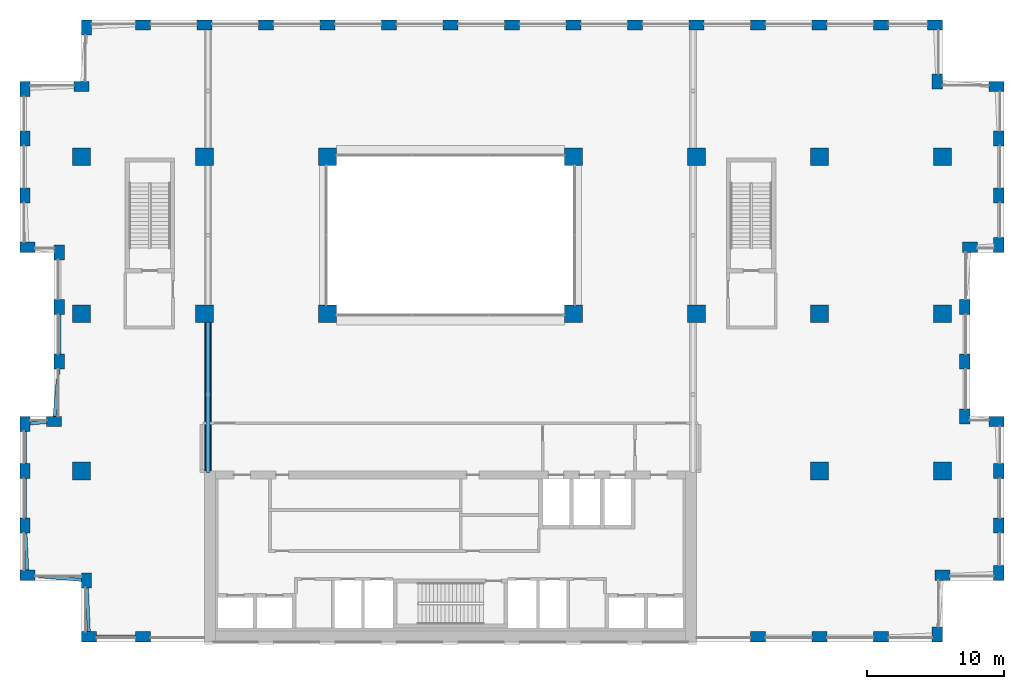
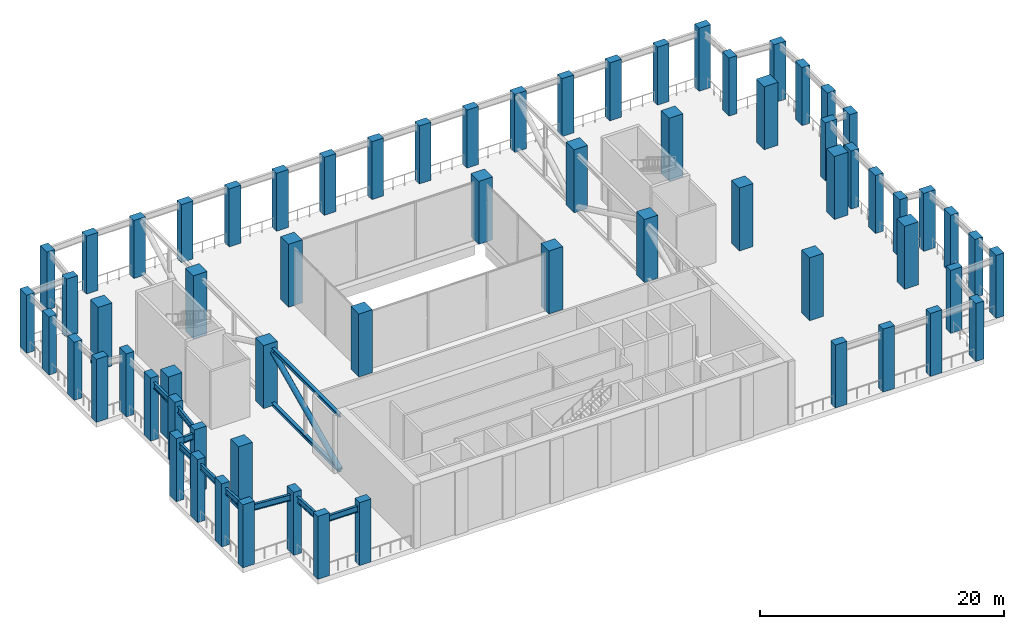
# One storey, part 1 of 14: 66 columns, 9 beams, 3 members.
"""IFC4 building model written with IfcOpenShell, lengths in metres."""

from ifc_helpers import new_model, si_unit, direction, frame, origin, origin_2d, place, context, subcontext, project, spatial, rectangle, hollow_circle, i_section, extrude, material, material_profile, profile_set, type_object, element, save


model = new_model("IFC4")

# Units and contexts
model_context = context("Model", 3, precision=1e-05, world=origin(), true_north=direction((0.0, 1.0)))
body_context = subcontext(model_context, "Body", "Model", "MODEL_VIEW")
ifc_project = project(units=[si_unit("LENGTHUNIT", "METRE"), si_unit("AREAUNIT", "SQUARE_METRE"), si_unit("VOLUMEUNIT", "CUBIC_METRE"), si_unit("PLANEANGLEUNIT", "RADIAN"), si_unit("MASSUNIT", "GRAM", prefix="KILO")], contexts=[model_context])

# Site, building, storey
site_placement = place(None, origin())
site = spatial("IfcSite", under=ifc_project, at=site_placement, CompositionType="ELEMENT")
building_placement = place(site_placement, origin())
building = spatial("IfcBuilding", under=site, at=building_placement, Name="Brigalow Station Residences", CompositionType="ELEMENT")
storey_placement = place(building_placement, frame((0.0, 0.0, 130.800048828125)))
storey = spatial("IfcBuildingStorey", under=building, at=storey_placement, Name="L38", CompositionType="ELEMENT", Elevation=130.800048828125)

# Columns
ifc_material_1 = material(Name="Concrete C65", Category="concrete")
ifc_material_profile_1 = material_profile(ifc_material_1, rectangle(XDim=1.300048828125, YDim=1.300048828125, at=origin_2d()), Name="RC1300x1300")
ifc_profile_set_1 = profile_set([ifc_material_profile_1], Name="Concrete C65")
column_type_1 = type_object("IfcColumnType", Name="COLUMN 1300x1300 C65", PredefinedType="COLUMN", material=ifc_profile_set_1)
for number, where, z_axis, x_axis, name in (
    (1, (9.0, 24.0, 0.0), (0.0, 0.0, 1.0), (1.0, 0.0, 0.0), "COLUMN C1 L38"),
    (2, (18.0, 24.0, 0.0), (0.0, 0.0, 1.0), (1.0, 0.0, 0.0), "COLUMN C2 L38"),
    (3, (27.0, 24.0, 0.0), (0.0, 0.0, 1.0), (1.0, 0.0, 0.0), "COLUMN C3 L38"),
    (4, (45.0, 24.0, 0.0), (0.0, 0.0, 1.0), (1.0, 0.0, 0.0), "COLUMN C5 L38"),
    (5, (54.0, 24.0, 0.0), (0.0, 0.0, 1.0), (1.0, 0.0, 0.0), "COLUMN C6 L38"),
    (6, (63.0, 24.0, 0.0), (0.0, 0.0, 1.0), (1.0, 0.0, 0.0), "COLUMN C7 L38"),
    (7, (72.0, 24.0, 0.0), (0.0, 0.0, 1.0), (1.0, 0.0, 0.0), "COLUMN C8 L38"),
    (8, (9.0, 35.5, 0.0), (0.0, 0.0, 1.0), (1.0, 0.0, 0.0), "COLUMN D1 L38"),
    (9, (18.0, 35.5, 0.0), (0.0, 0.0, 1.0), (1.0, 0.0, 0.0), "COLUMN D2 L38"),
    (10, (27.0, 35.5, 0.0), (0.0, 0.0, 1.0), (1.0, 0.0, 0.0), "COLUMN D3 L38"),
    (11, (45.0, 35.5, 0.0), (0.0, 0.0, 1.0), (1.0, 0.0, 0.0), "COLUMN D5 L38"),
    (12, (54.0, 35.5, 0.0), (0.0, 0.0, 1.0), (1.0, 0.0, 0.0), "COLUMN D6 L38"),
    (13, (63.0, 35.5, 0.0), (0.0, 0.0, 1.0), (1.0, 0.0, 0.0), "COLUMN D7 L38"),
    (14, (72.0, 35.5, 0.0), (0.0, 0.0, 1.0), (1.0, 0.0, 0.0), "COLUMN D8 L38"),
    (15, (9.0, 12.5, 0.0), (0.0, 0.0, 1.0), (1.0, 0.0, 0.0), "COLUMN B1 L38"),
    (16, (63.0, 12.5, 0.0), (0.0, 0.0, 1.0), (1.0, 0.0, 0.0), "COLUMN B7 L38"),
    (17, (72.0, 12.5, 0.0), (0.0, 0.0, 1.0), (1.0, 0.0, 0.0), "COLUMN B8 L38"),
):
    element("IfcColumn", number, at=place(storey_placement, frame(where, z_axis=z_axis, x_axis=x_axis)), inside=storey, type_object=column_type_1, Name=name, PredefinedType="COLUMN", context=body_context, shape_type="SweptSolid", body=[
        extrude(rectangle(XDim=1.300048828125, YDim=1.300048828125, at=origin_2d()), origin(), (0.0, 0.0, 1.0), 6.300048828125),
    ])
ifc_material_2 = material(Name="Concrete C65", Category="concrete")
ifc_material_profile_2 = material_profile(ifc_material_2, rectangle(XDim=1.10009765625, YDim=0.75, at=origin_2d()), Name="RC1100x750")
ifc_profile_set_2 = profile_set([ifc_material_profile_2], Name="Concrete C65")
column_type_2 = type_object("IfcColumnType", Name="PIER 1100x750 C65", PredefinedType="USERDEFINED", material=ifc_profile_set_2)
for number, where, z_axis, x_axis, name in (
    (18, (9.550048828125, 0.375, 0.0), (0.0, 0.0, 1.0), (1.0, 0.0, 0.0), "PIER S-1 L38"),
    (19, (13.5, 0.375, 0.0), (0.0, 0.0, 1.0), (1.0, 0.0, 0.0), "PIER S-2 L38"),
    (20, (58.5, 0.375, 0.0), (0.0, 0.0, 1.0), (1.0, 0.0, 0.0), "PIER S-12 L38"),
    (21, (63.0, 0.375, 0.0), (0.0, 0.0, 1.0), (1.0, 0.0, 0.0), "PIER S-13 L38"),
    (22, (67.5, 0.375, 0.0), (0.0, 0.0, 1.0), (1.0, 0.0, 0.0), "PIER S-14 L38"),
    (23, (72.0, 4.875, 0.0), (0.0, 0.0, 1.0), (1.0, 0.0, 0.0), "PIER SE2-1 L38"),
    (24, (76.125, 5.050048828125, 0.0), (0.0, 0.0, 1.0), (0.0, 1.0, 0.0), "PIER E1-1 L38"),
    (25, (71.449951171875, 45.125, 0.0), (0.0, 0.0, 1.0), (-1.0, 0.0, 0.0), "PIER N-1 L38"),
    (26, (5.050048828125, 28.875, 0.0), (0.0, 0.0, 1.0), (1.0, 0.0, 0.0), "PIER WL1-1 L38"),
    (27, (7.375, 28.5, 0.0), (0.0, 0.0, 1.0), (0.0, -1.0, 0.0), "PIER WL2-1 L38"),
    (28, (7.375, 24.5, 0.0), (0.0, 0.0, 1.0), (0.0, -1.0, 0.0), "PIER WL2-2 L38"),
    (29, (7.375, 20.5, 0.0), (0.0, 0.0, 1.0), (0.0, -1.0, 0.0), "PIER WL2-3 L38"),
    (30, (7.0, 16.125, 0.0), (0.0, 0.0, 1.0), (-1.0, 0.0, 0.0), "PIER WL3-1 L38"),
    (31, (4.875, 15.949951171875, 0.0), (0.0, 0.0, 1.0), (0.0, -1.0, 0.0), "PIER W1-1 L38"),
    (32, (4.875, 12.5, 0.0), (0.0, 0.0, 1.0), (0.0, -1.0, 0.0), "PIER W1-2 L38"),
    (33, (4.875, 8.5, 0.0), (0.0, 0.0, 1.0), (0.0, -1.0, 0.0), "PIER W1-3 L38"),
    (34, (5.050048828125, 4.875, 0.0), (0.0, 0.0, 1.0), (1.0, 0.0, 0.0), "PIER SW1-1 L38"),
    (35, (9.375, 4.5, 0.0), (0.0, 0.0, 1.0), (0.0, -1.0, 0.0), "PIER SW2-1 L38"),
):
    element("IfcColumn", number, at=place(storey_placement, frame(where, z_axis=z_axis, x_axis=x_axis)), inside=storey, type_object=column_type_2, Name=name, ObjectType="PIER", PredefinedType="USERDEFINED", context=body_context, shape_type="SweptSolid", body=[
        extrude(rectangle(XDim=1.10009765625, YDim=0.75, at=origin_2d()), origin(), (0.0, 0.0, 1.0), 6.300048828125),
    ])
ifc_material_3 = material(Name="Concrete C65", Category="concrete")
ifc_material_profile_3 = material_profile(ifc_material_3, rectangle(XDim=1.10009765625, YDim=0.75, at=origin_2d()), Name="RC1100x750")
ifc_profile_set_3 = profile_set([ifc_material_profile_3], Name="Concrete C65")
column_type_3 = type_object("IfcColumnType", Name="PIER UNDER KINK 1100x750 C65", PredefinedType="USERDEFINED", material=ifc_profile_set_3)
for number, where, z_axis, x_axis, name in (
    (36, (71.625, 0.550048828125, 0.0), (0.0, 0.0, 1.0), (0.0, 1.0, 0.0), "PIER SE1-1 L38"),
    (37, (76.125, 8.5, 0.0), (0.0, 0.0, 1.0), (0.0, 1.0, 0.0), "PIER E1-2 L38"),
    (38, (76.125, 12.5, 0.0), (0.0, 0.0, 1.0), (0.0, 1.0, 0.0), "PIER E1-3 L38"),
    (39, (75.949951171875, 16.125, 0.0), (0.0, 0.0, 1.0), (-1.0, 0.0, 0.0), "PIER EL1-1 L38"),
    (40, (73.625, 16.5, 0.0), (0.0, 0.0, 1.0), (0.0, 1.0, 0.0), "PIER EL2-1 L38"),
    (41, (73.625, 20.5, 0.0), (0.0, 0.0, 1.0), (0.0, 1.0, 0.0), "PIER EL2-2 L38"),
    (42, (73.625, 24.5, 0.0), (0.0, 0.0, 1.0), (0.0, 1.0, 0.0), "PIER EL2-3 L38"),
    (43, (74.0, 28.875, 0.0), (0.0, 0.0, 1.0), (1.0, 0.0, 0.0), "PIER EL3-1 L38"),
    (44, (76.125, 29.050048828125, 0.0), (0.0, 0.0, 1.0), (0.0, 1.0, 0.0), "PIER E2-1 L38"),
    (45, (76.125, 32.6669921875, 0.0), (0.0, 0.0, 1.0), (0.0, 1.0, 0.0), "PIER E2-2 L38"),
    (46, (76.125, 36.8330078125, 0.0), (0.0, 0.0, 1.0), (0.0, 1.0, 0.0), "PIER E2-3 L38"),
    (47, (75.949951171875, 40.625, 0.0), (0.0, 0.0, 1.0), (-1.0, 0.0, 0.0), "PIER NE1-1 L38"),
    (48, (71.625, 41.0, 0.0), (0.0, 0.0, 1.0), (0.0, 1.0, 0.0), "PIER NE2-1 L38"),
    (49, (67.5, 45.125, 0.0), (0.0, 0.0, 1.0), (-1.0, 0.0, 0.0), "PIER N-2 L38"),
    (50, (63.0, 45.125, 0.0), (0.0, 0.0, 1.0), (-1.0, 0.0, 0.0), "PIER N-3 L38"),
    (51, (58.5, 45.125, 0.0), (0.0, 0.0, 1.0), (-1.0, 0.0, 0.0), "PIER N-4 L38"),
    (52, (54.0, 45.125, 0.0), (0.0, 0.0, 1.0), (-1.0, 0.0, 0.0), "PIER N-5 L38"),
    (53, (49.5, 45.125, 0.0), (0.0, 0.0, 1.0), (-1.0, 0.0, 0.0), "PIER N-6 L38"),
    (54, (45.0, 45.125, 0.0), (0.0, 0.0, 1.0), (-1.0, 0.0, 0.0), "PIER N-7 L38"),
    (55, (40.5, 45.125, 0.0), (0.0, 0.0, 1.0), (-1.0, 0.0, 0.0), "PIER N-8 L38"),
    (56, (36.0, 45.125, 0.0), (0.0, 0.0, 1.0), (-1.0, 0.0, 0.0), "PIER N-9 L38"),
    (57, (31.5, 45.125, 0.0), (0.0, 0.0, 1.0), (-1.0, 0.0, 0.0), "PIER N-10 L38"),
    (58, (27.0, 45.125, 0.0), (0.0, 0.0, 1.0), (-1.0, 0.0, 0.0), "PIER N-11 L38"),
    (59, (22.5, 45.125, 0.0), (0.0, 0.0, 1.0), (-1.0, 0.0, 0.0), "PIER N-12 L38"),
    (60, (18.0, 45.125, 0.0), (0.0, 0.0, 1.0), (-1.0, 0.0, 0.0), "PIER N-13 L38"),
    (61, (13.5, 45.125, 0.0), (0.0, 0.0, 1.0), (-1.0, 0.0, 0.0), "PIER N-14 L38"),
    (62, (9.375, 44.949951171875, 0.0), (0.0, 0.0, 1.0), (0.0, -1.0, 0.0), "PIER NW1-1 L38"),
    (63, (9.0, 40.625, 0.0), (0.0, 0.0, 1.0), (-1.0, 0.0, 0.0), "PIER NW2-1 L38"),
    (64, (4.875, 40.449951171875, 0.0), (0.0, 0.0, 1.0), (0.0, -1.0, 0.0), "PIER W2-1 L38"),
    (65, (4.875, 36.8330078125, 0.0), (0.0, 0.0, 1.0), (0.0, -1.0, 0.0), "PIER W2-2 L38"),
    (66, (4.875, 32.6669921875, 0.0), (0.0, 0.0, 1.0), (0.0, -1.0, 0.0), "PIER W2-3 L38"),
):
    element("IfcColumn", number, at=place(storey_placement, frame(where, z_axis=z_axis, x_axis=x_axis)), inside=storey, type_object=column_type_3, Name=name, ObjectType="PIER", PredefinedType="USERDEFINED", context=body_context, shape_type="SweptSolid", body=[
        extrude(rectangle(XDim=1.10009765625, YDim=0.75, at=origin_2d()), origin(), (0.0, 0.0, 1.0), 5.800048828125),
    ])

# Beams
ifc_material_4 = material(Name="Steel Grade 300 to AS/NZS 3679.1", Category="steel")
ifc_material_profile_4 = material_profile(ifc_material_4, i_section(OverallWidth=0.22900390625, OverallDepth=0.611572265625, WebThickness=0.011962890625, FlangeThickness=0.01953125, FilletRadius=0.013916015625, at=origin_2d()), Name="610UB125")
ifc_profile_set_4 = profile_set([ifc_material_profile_4], Name="Steel Grade 300 to AS/NZS 3679.1")
beam_type = type_object("IfcBeamType", Name="BELT GIRDER 610UB125", PredefinedType="USERDEFINED", material=ifc_profile_set_4)
beam_1_placement = place(storey_placement, frame((10.10009765625, 0.375, 5.494140625), z_axis=(1.0, 0.0, 0.0), x_axis=(0.0, 1.0, 0.0)))
element("IfcBeam", 67, at=beam_1_placement, inside=storey, type_object=beam_type, Name="BELT GIRDER 1 L38", ObjectType="BELT GIRDER", PredefinedType="USERDEFINED", context=body_context, shape_type="SweptSolid", body=[
    extrude(i_section(OverallWidth=0.22900390625, OverallDepth=0.611572265625, WebThickness=0.011962890625, FlangeThickness=0.01953125, FilletRadius=0.013916015625, at=origin_2d()), origin(), (0.0, 0.0, 1.0), 2.849853515625),
])
beam_2_placement = place(storey_placement, frame((7.375, 23.949951171875, 5.494140625), z_axis=(0.0, -1.0, 0.0), x_axis=(1.0, 0.0, 0.0)))
element("IfcBeam", 68, at=beam_2_placement, inside=storey, type_object=beam_type, Name="BELT GIRDER 41 L38", ObjectType="BELT GIRDER", PredefinedType="USERDEFINED", context=body_context, shape_type="SweptSolid", body=[
    extrude(i_section(OverallWidth=0.22900390625, OverallDepth=0.611572265625, WebThickness=0.011962890625, FlangeThickness=0.01953125, FilletRadius=0.013916015625, at=origin_2d()), origin(), (0.0, 0.0, 1.0), 2.89990234375),
])
beam_3_placement = place(storey_placement, frame((7.32861328125, 19.9599609375, 5.494140625), z_axis=(-0.085383246783, -0.9963481827, 0.0), x_axis=(0.9963481827, -0.085383246783, 0.0)))
element("IfcBeam", 69, at=beam_3_placement, inside=storey, type_object=beam_type, Name="BELT GIRDER 42 L38", ObjectType="BELT GIRDER", PredefinedType="USERDEFINED", context=body_context, shape_type="SweptSolid", body=[
    extrude(i_section(OverallWidth=0.22900390625, OverallDepth=0.611572265625, WebThickness=0.011962890625, FlangeThickness=0.01953125, FilletRadius=0.013916015625, at=origin_2d()), origin(), (0.0, 0.0, 1.0), 3.482666015625),
])
beam_4_placement = place(storey_placement, frame((6.4599609375, 16.08056640625, 5.494140625), z_axis=(-0.996618274254, -0.082170648187, 0.0), x_axis=(0.082170648187, -0.996618274254, 0.0)))
element("IfcBeam", 70, at=beam_4_placement, inside=storey, type_object=beam_type, Name="BELT GIRDER 43 L38", ObjectType="BELT GIRDER", PredefinedType="USERDEFINED", context=body_context, shape_type="SweptSolid", body=[
    extrude(i_section(OverallWidth=0.22900390625, OverallDepth=0.611572265625, WebThickness=0.011962890625, FlangeThickness=0.01953125, FilletRadius=0.013916015625, at=origin_2d()), origin(), (0.0, 0.0, 1.0), 1.22412109375),
])
beam_5_placement = place(storey_placement, frame((4.875, 15.39990234375, 5.494140625), z_axis=(0.0, -1.0, 0.0), x_axis=(1.0, 0.0, 0.0)))
element("IfcBeam", 71, at=beam_5_placement, inside=storey, type_object=beam_type, Name="BELT GIRDER 44 L38", ObjectType="BELT GIRDER", PredefinedType="USERDEFINED", context=body_context, shape_type="SweptSolid", body=[
    extrude(i_section(OverallWidth=0.22900390625, OverallDepth=0.611572265625, WebThickness=0.011962890625, FlangeThickness=0.01953125, FilletRadius=0.013916015625, at=origin_2d()), origin(), (0.0, 0.0, 1.0), 2.349853515625),
])
beam_6_placement = place(storey_placement, frame((4.875, 11.949951171875, 5.494140625), z_axis=(0.0, -1.0, 0.0), x_axis=(1.0, 0.0, 0.0)))
element("IfcBeam", 72, at=beam_6_placement, inside=storey, type_object=beam_type, Name="BELT GIRDER 45 L38", ObjectType="BELT GIRDER", PredefinedType="USERDEFINED", context=body_context, shape_type="SweptSolid", body=[
    extrude(i_section(OverallWidth=0.22900390625, OverallDepth=0.611572265625, WebThickness=0.011962890625, FlangeThickness=0.01953125, FilletRadius=0.013916015625, at=origin_2d()), origin(), (0.0, 0.0, 1.0), 2.89990234375),
])
beam_7_placement = place(storey_placement, frame((4.901123046875, 7.9599609375, 5.494140625), z_axis=(0.048233893259, -0.998836068402, 0.0), x_axis=(0.998836068402, 0.048233893259, 0.0)))
element("IfcBeam", 73, at=beam_7_placement, inside=storey, type_object=beam_type, Name="BELT GIRDER 46 L38", ObjectType="BELT GIRDER", PredefinedType="USERDEFINED", context=body_context, shape_type="SweptSolid", body=[
    extrude(i_section(OverallWidth=0.22900390625, OverallDepth=0.611572265625, WebThickness=0.011962890625, FlangeThickness=0.01953125, FilletRadius=0.013916015625, at=origin_2d()), origin(), (0.0, 0.0, 1.0), 2.72314453125),
])
beam_8_placement = place(storey_placement, frame((5.590087890625, 4.828125, 5.494140625), z_axis=(0.996265632324, -0.086341124903, 0.0), x_axis=(0.086341124903, 0.996265632324, 0.0)))
element("IfcBeam", 74, at=beam_8_placement, inside=storey, type_object=beam_type, Name="BELT GIRDER 47 L38", ObjectType="BELT GIRDER", PredefinedType="USERDEFINED", context=body_context, shape_type="SweptSolid", body=[
    extrude(i_section(OverallWidth=0.22900390625, OverallDepth=0.611572265625, WebThickness=0.011962890625, FlangeThickness=0.01953125, FilletRadius=0.013916015625, at=origin_2d()), origin(), (0.0, 0.0, 1.0), 3.432861328125),
])
beam_9_placement = place(storey_placement, frame((9.398193359375, 3.955078125, 5.494140625), z_axis=(0.042325893582, -0.999103857831, 0.0), x_axis=(0.999103857831, 0.042325893582, 0.0)))
element("IfcBeam", 75, at=beam_9_placement, inside=storey, type_object=beam_type, Name="BELT GIRDER 48 L38", ObjectType="BELT GIRDER", PredefinedType="USERDEFINED", context=body_context, shape_type="SweptSolid", body=[
    extrude(i_section(OverallWidth=0.22900390625, OverallDepth=0.611572265625, WebThickness=0.011962890625, FlangeThickness=0.01953125, FilletRadius=0.013916015625, at=origin_2d()), origin(), (0.0, 0.0, 1.0), 3.212890625),
])

# Members
ifc_material_5 = material(Name="Steel Grade C350L0 to AS/NZS 1163", Category="steel")
ifc_material_profile_5 = material_profile(ifc_material_5, hollow_circle(Radius=0.25390625, WallThickness=0.0126953125, at=origin_2d()), Name="508.0x12.7CHS")
ifc_profile_set_5 = profile_set([ifc_material_profile_5], Name="Steel Grade C350L0 to AS/NZS 1163")
member_type_1 = type_object("IfcMemberType", Name="OUTRIGGER BRACE 508.0x12.7CHS", PredefinedType="BRACE", material=ifc_profile_set_5)
member_placement = place(storey_placement, frame((18.260009765625, 12.389404296875, 0.25146484375), z_axis=(0.0, 0.9071827931, 0.420736710905), x_axis=(-1.0, 0.0, 0.0)))
element("IfcMember", 76, at=member_placement, inside=storey, type_object=member_type_1, Name="OUTRIGGER BRACE W1 L38", PredefinedType="BRACE", context=body_context, shape_type="SweptSolid", body=[
    extrude(hollow_circle(Radius=0.25390625, WallThickness=0.0126953125, at=origin_2d()), origin(), (0.0, 0.0, 1.0), 12.40966796875),
])
ifc_material_6 = material(Name="Steel Grade 300 to AS/NZS 3679.1", Category="steel")
ifc_material_profile_6 = material_profile(ifc_material_6, i_section(OverallWidth=0.31103515625, OverallDepth=0.3271484375, WebThickness=0.015625, FlangeThickness=0.02490234375, FilletRadius=0.0166015625, at=origin_2d()), Name="310UC158")
ifc_profile_set_6 = profile_set([ifc_material_profile_6], Name="Steel Grade 300 to AS/NZS 3679.1")
member_type_2 = type_object("IfcMemberType", Name="OUTRIGGER CHORD 310UC158", PredefinedType="CHORD", material=ifc_profile_set_6)
for number, where, z_axis, x_axis, name in (
    (77, (18.260009765625, 12.39990234375, 0.16357421875), (0.0, 1.0, 0.0), (-1.0, 0.0, 0.0), "OUTRIGGER CHORD W LOWER 1 L38"),
    (78, (18.260009765625, 12.39990234375, 5.63623046875), (0.0, 1.0, 0.0), (-1.0, 0.0, 0.0), "OUTRIGGER CHORD W UPPER 1 L38"),
):
    element("IfcMember", number, at=place(storey_placement, frame(where, z_axis=z_axis, x_axis=x_axis)), inside=storey, type_object=member_type_2, Name=name, PredefinedType="CHORD", context=body_context, shape_type="SweptSolid", body=[
        extrude(i_section(OverallWidth=0.31103515625, OverallDepth=0.3271484375, WebThickness=0.015625, FlangeThickness=0.02490234375, FilletRadius=0.0166015625, at=origin_2d()), origin(), (0.0, 0.0, 1.0), 11.050048828125),
    ])

save(model, "model.ifc")
